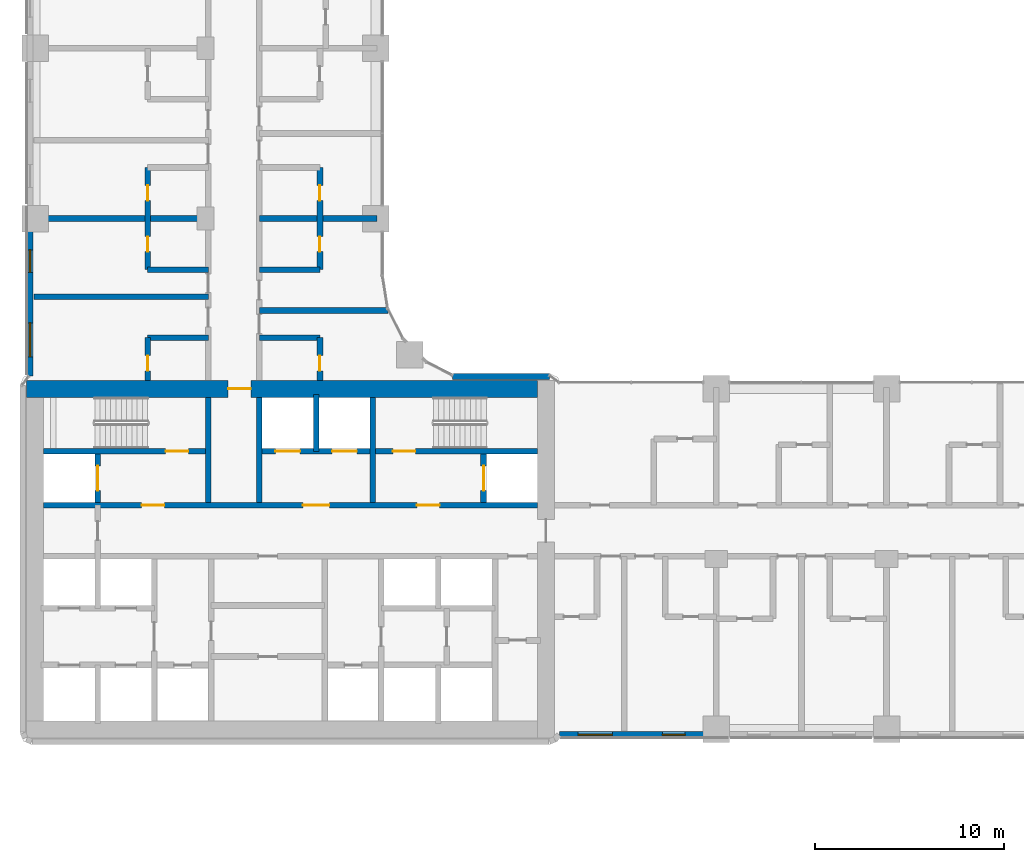
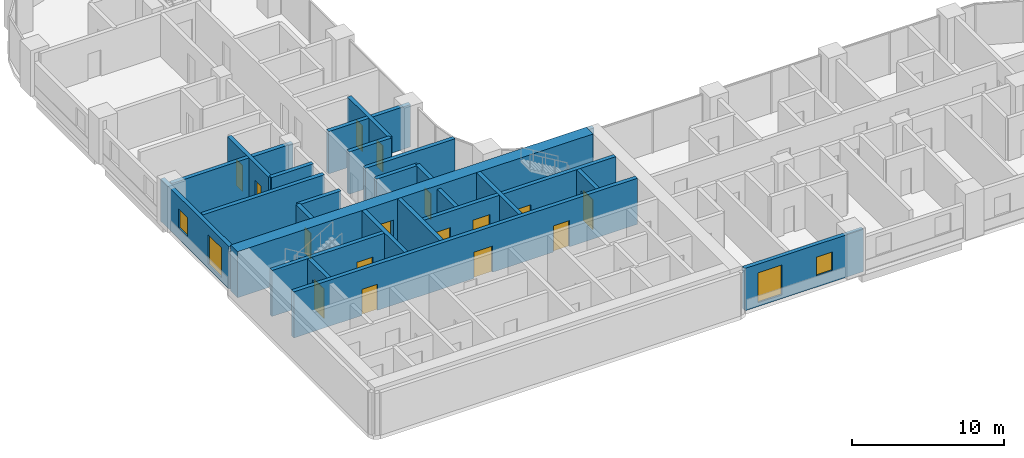
# One storey, part 17 of 31: 25 walls, 16 doors, 4 windows, 20 openings.
"""IFC4 building model written with IfcOpenShell, lengths in metres."""

from ifc_helpers import new_model, si_unit, direction, frame, frame_2d, origin, place, context, subcontext, project, spatial, rectangle, extrude, material, layer, layer_set, type_object, element, fill, save


model = new_model("IFC4")

# Units and contexts
model_context = context("Model", 3, precision=1e-05, world=origin(), true_north=direction((0.0, 1.0)))
body_context = subcontext(model_context, "Body", "Model", "MODEL_VIEW")
ifc_project = project(units=[si_unit("LENGTHUNIT", "METRE"), si_unit("AREAUNIT", "SQUARE_METRE"), si_unit("VOLUMEUNIT", "CUBIC_METRE"), si_unit("PLANEANGLEUNIT", "RADIAN"), si_unit("MASSUNIT", "GRAM", prefix="KILO")], contexts=[model_context])

# Site, building, storey
site_placement = place(None, origin())
site = spatial("IfcSite", under=ifc_project, at=site_placement, CompositionType="ELEMENT")
building_placement = place(site_placement, origin())
building = spatial("IfcBuilding", under=site, at=building_placement, Name="Ogive Portal Towers", CompositionType="ELEMENT")
storey_placement = place(building_placement, frame((0.0, 0.0, 40.89990234375)))
storey = spatial("IfcBuildingStorey", under=building, at=storey_placement, Name="L08", CompositionType="ELEMENT", Elevation=40.89990234375)

# Wall, openings, doors
ifc_material_1 = material(Name="Concrete C60/75", Category="concrete")
ifc_layer_1 = layer(ifc_material_1, 0.300048828125)
ifc_layer_set_1 = layer_set([ifc_layer_1], Name="CORE WALL 300 C60")
wall_type_1 = type_object("IfcWallType", Name="CORE WALL 300 C60", PredefinedType="SHEAR", material=ifc_layer_set_1)
wall_1_placement = place(storey_placement, frame((31.949951171875, 33.35009765625, 0.0), z_axis=(0.0, 0.0, 1.0), x_axis=(1.0, 0.0, 0.0)))
wall_1 = element("IfcWall", 1, at=wall_1_placement, inside=storey, type_object=wall_type_1, Name="Core wall Y2 L08", PredefinedType="SHEAR", context=body_context, shape_type="SweptSolid", body=[
    extrude(rectangle(XDim=26.10009765625, YDim=0.300048828125, at=frame_2d((13.050048828125, 0.0))), origin(), (0.0, 0.0, 1.0), 3.7001953125),
])
opening_1_placement = place(wall_1_placement, frame((13.699951171875, 0.0, 0.0)))
opening_1 = element("IfcOpeningElement", 2, at=opening_1_placement, cuts=wall_1, Name="Opening D01-002", PredefinedType="OPENING", context=body_context, shape_type="SweptSolid", body=[
    extrude(rectangle(XDim=1.39990234375, YDim=2.10009765625, at=frame_2d((0.699951171875, 1.050048828125))), frame((0.0, 0.16015625, 0.0), z_axis=(0.0, -1.0, 0.0), x_axis=(1.0, 0.0, 0.0)), (0.0, 0.0, 1.0), 0.320068359375),
])
opening_2_placement = place(wall_1_placement, frame((5.175048828125, 0.0, 0.0)))
opening_2 = element("IfcOpeningElement", 3, at=opening_2_placement, cuts=wall_1, Name="Opening D01-003", PredefinedType="OPENING", context=body_context, shape_type="SweptSolid", body=[
    extrude(rectangle(XDim=1.199951171875, YDim=2.10009765625, at=frame_2d((0.60009765625, 1.050048828125))), frame((0.0, 0.16015625, 0.0), z_axis=(0.0, -1.0, 0.0), x_axis=(1.0, 0.0, 0.0)), (0.0, 0.0, 1.0), 0.320068359375),
])
opening_3_placement = place(wall_1_placement, frame((19.72509765625, 0.0, 0.0)))
opening_3 = element("IfcOpeningElement", 4, at=opening_3_placement, cuts=wall_1, Name="Opening D01-004", PredefinedType="OPENING", context=body_context, shape_type="SweptSolid", body=[
    extrude(rectangle(XDim=1.199951171875, YDim=2.10009765625, at=frame_2d((0.60009765625, 1.050048828125))), frame((0.0, 0.16015625, 0.0), z_axis=(0.0, -1.0, 0.0), x_axis=(1.0, 0.0, 0.0)), (0.0, 0.0, 1.0), 0.320068359375),
])
ifc_material_2 = material(Name="Steel fire door", Category="steel")
door_type_1 = type_object("IfcDoorType", Name="DT-SWING-1200x2100-FD90S", OperationType="SINGLE_SWING_LEFT", PredefinedType="DOOR", material=ifc_material_2)
door_1_placement = place(opening_2_placement, origin())
door_1 = element("IfcDoor", 5, at=door_1_placement, inside=storey, type_object=door_type_1, Name="Door D01-003", OperationType="SINGLE_SWING_LEFT", OverallHeight=2.10009765625, OverallWidth=1.199951171875, PredefinedType="DOOR", context=body_context, shape_type="SweptSolid", body=[
    extrude(rectangle(XDim=1.199951171875, YDim=2.10009765625, at=frame_2d((0.60009765625, 1.050048828125))), frame((0.0, 0.02490234375, 0.0), z_axis=(0.0, -1.0, 0.0), x_axis=(1.0, 0.0, 0.0)), (0.0, 0.0, 1.0), 0.050048828125),
])
fill(opening_2, door_1)
door_2_placement = place(opening_3_placement, origin())
door_2 = element("IfcDoor", 6, at=door_2_placement, inside=storey, type_object=door_type_1, Name="Door D01-004", OperationType="SINGLE_SWING_RIGHT", OverallHeight=2.10009765625, OverallWidth=1.199951171875, PredefinedType="DOOR", context=body_context, shape_type="SweptSolid", body=[
    extrude(rectangle(XDim=1.199951171875, YDim=2.10009765625, at=frame_2d((0.60009765625, 1.050048828125))), frame((0.0, 0.02490234375, 0.0), z_axis=(0.0, -1.0, 0.0), x_axis=(1.0, 0.0, 0.0)), (0.0, 0.0, 1.0), 0.050048828125),
])
fill(opening_3, door_2)
door_type_2 = type_object("IfcDoorType", Name="DT-SWING-1400x2100-FD90S", OperationType="SINGLE_SWING_LEFT", PredefinedType="DOOR", material=ifc_material_2)
door_3_placement = place(opening_1_placement, origin())
door_3 = element("IfcDoor", 7, at=door_3_placement, inside=storey, type_object=door_type_2, Name="Door D01-002", OperationType="SINGLE_SWING_RIGHT", OverallHeight=2.10009765625, OverallWidth=1.39990234375, PredefinedType="DOOR", context=body_context, shape_type="SweptSolid", body=[
    extrude(rectangle(XDim=1.39990234375, YDim=2.10009765625, at=frame_2d((0.699951171875, 1.050048828125))), frame((0.0, 0.02490234375, 0.0), z_axis=(0.0, -1.0, 0.0), x_axis=(1.0, 0.0, 0.0)), (0.0, 0.0, 1.0), 0.050048828125),
])
fill(opening_1, door_3)

# Wall, opening, door
wall_2_placement = place(storey_placement, frame((31.949951171875, 36.199951171875, 0.0), z_axis=(0.0, 0.0, 1.0), x_axis=(1.0, 0.0, 0.0)))
wall_2 = element("IfcWall", 8, at=wall_2_placement, inside=storey, type_object=wall_type_1, Name="Core wall Y3a L08", PredefinedType="SHEAR", context=body_context, shape_type="SweptSolid", body=[
    extrude(rectangle(XDim=8.550048828125, YDim=0.300048828125, at=frame_2d((4.27490234375, 0.0))), origin(), (0.0, 0.0, 1.0), 3.7001953125),
])
opening_4_placement = place(wall_2_placement, frame((6.449951171875, 0.0, 0.0)))
opening_4 = element("IfcOpeningElement", 9, at=opening_4_placement, cuts=wall_2, Name="Opening D01-005", PredefinedType="OPENING", context=body_context, shape_type="SweptSolid", body=[
    extrude(rectangle(XDim=1.199951171875, YDim=2.10009765625, at=frame_2d((0.60009765625, 1.050048828125))), frame((0.0, 0.16015625, 0.0), z_axis=(0.0, -1.0, 0.0), x_axis=(1.0, 0.0, 0.0)), (0.0, 0.0, 1.0), 0.320068359375),
])
door_4_placement = place(opening_4_placement, origin())
door_4 = element("IfcDoor", 10, at=door_4_placement, inside=storey, type_object=door_type_1, Name="Door D01-005", OperationType="SINGLE_SWING_RIGHT", OverallHeight=2.10009765625, OverallWidth=1.199951171875, PredefinedType="DOOR", context=body_context, shape_type="SweptSolid", body=[
    extrude(rectangle(XDim=1.199951171875, YDim=2.10009765625, at=frame_2d((0.60009765625, 1.050048828125))), frame((0.0, 0.02490234375, 0.0), z_axis=(0.0, -1.0, 0.0), x_axis=(1.0, 0.0, 0.0)), (0.0, 0.0, 1.0), 0.050048828125),
])
fill(opening_4, door_4)

# Wall, openings, doors
wall_3_placement = place(storey_placement, frame((43.5, 36.199951171875, 0.0), z_axis=(0.0, 0.0, 1.0), x_axis=(1.0, 0.0, 0.0)))
wall_3 = element("IfcWall", 11, at=wall_3_placement, inside=storey, type_object=wall_type_1, Name="Core wall Y3b L08", PredefinedType="SHEAR", context=body_context, shape_type="SweptSolid", body=[
    extrude(rectangle(XDim=14.550048828125, YDim=0.300048828125, at=frame_2d((7.27490234375, 0.0))), origin(), (0.0, 0.0, 1.0), 3.7001953125),
])
opening_5_placement = place(wall_3_placement, frame((6.89990234375, 0.0, 0.0)))
opening_5 = element("IfcOpeningElement", 12, at=opening_5_placement, cuts=wall_3, Name="Opening D01-006", PredefinedType="OPENING", context=body_context, shape_type="SweptSolid", body=[
    extrude(rectangle(XDim=1.199951171875, YDim=2.10009765625, at=frame_2d((0.60009765625, 1.050048828125))), frame((0.0, 0.16015625, 0.0), z_axis=(0.0, -1.0, 0.0), x_axis=(1.0, 0.0, 0.0)), (0.0, 0.0, 1.0), 0.320068359375),
])
opening_6_placement = place(wall_3_placement, frame((0.699951171875, 0.0, 0.0)))
opening_6 = element("IfcOpeningElement", 13, at=opening_6_placement, cuts=wall_3, Name="Opening D01-017", PredefinedType="OPENING", context=body_context, shape_type="SweptSolid", body=[
    extrude(rectangle(XDim=1.300048828125, YDim=2.39990234375, at=frame_2d((0.64990234375, 1.199951171875))), frame((0.0, 0.16015625, 0.0), z_axis=(0.0, -1.0, 0.0), x_axis=(1.0, 0.0, 0.0)), (0.0, 0.0, 1.0), 0.320068359375),
])
opening_7_placement = place(wall_3_placement, frame((3.699951171875, 0.0, 0.0)))
opening_7 = element("IfcOpeningElement", 14, at=opening_7_placement, cuts=wall_3, Name="Opening D01-018", PredefinedType="OPENING", context=body_context, shape_type="SweptSolid", body=[
    extrude(rectangle(XDim=1.300048828125, YDim=2.39990234375, at=frame_2d((0.64990234375, 1.199951171875))), frame((0.0, 0.16015625, 0.0), z_axis=(0.0, -1.0, 0.0), x_axis=(1.0, 0.0, 0.0)), (0.0, 0.0, 1.0), 0.320068359375),
])
ifc_material_3 = material(Name="Stainless steel", Category="steel")
door_type_3 = type_object("IfcDoorType", Name="DT-LD-1300x2400", OperationType="SLIDING_TO_LEFT", PredefinedType="DOOR", material=ifc_material_3)
door_5_placement = place(opening_6_placement, origin())
door_5 = element("IfcDoor", 15, at=door_5_placement, inside=storey, type_object=door_type_3, Name="Door D01-017", OperationType="SLIDING_TO_LEFT", OverallHeight=2.39990234375, OverallWidth=1.300048828125, PredefinedType="DOOR", context=body_context, shape_type="SweptSolid", body=[
    extrude(rectangle(XDim=1.300048828125, YDim=2.39990234375, at=frame_2d((0.64990234375, 1.199951171875))), frame((0.0, 0.02490234375, 0.0), z_axis=(0.0, -1.0, 0.0), x_axis=(1.0, 0.0, 0.0)), (0.0, 0.0, 1.0), 0.050048828125),
])
fill(opening_6, door_5)
door_6_placement = place(opening_7_placement, origin())
door_6 = element("IfcDoor", 16, at=door_6_placement, inside=storey, type_object=door_type_3, Name="Door D01-018", OperationType="SLIDING_TO_LEFT", OverallHeight=2.39990234375, OverallWidth=1.300048828125, PredefinedType="DOOR", context=body_context, shape_type="SweptSolid", body=[
    extrude(rectangle(XDim=1.300048828125, YDim=2.39990234375, at=frame_2d((0.64990234375, 1.199951171875))), frame((0.0, 0.02490234375, 0.0), z_axis=(0.0, -1.0, 0.0), x_axis=(1.0, 0.0, 0.0)), (0.0, 0.0, 1.0), 0.050048828125),
])
fill(opening_7, door_6)
door_7_placement = place(opening_5_placement, origin())
door_7 = element("IfcDoor", 17, at=door_7_placement, inside=storey, type_object=door_type_1, Name="Door D01-006", OperationType="SINGLE_SWING_LEFT", OverallHeight=2.10009765625, OverallWidth=1.199951171875, PredefinedType="DOOR", context=body_context, shape_type="SweptSolid", body=[
    extrude(rectangle(XDim=1.199951171875, YDim=2.10009765625, at=frame_2d((0.60009765625, 1.050048828125))), frame((0.0, 0.02490234375, 0.0), z_axis=(0.0, -1.0, 0.0), x_axis=(1.0, 0.0, 0.0)), (0.0, 0.0, 1.0), 0.050048828125),
])
fill(opening_5, door_7)

# Walls
for number, where, z_axis, x_axis, name in (
    (18, (40.64990234375, 33.5, 0.0), (0.0, 0.0, 1.0), (0.0, 1.0, 0.0), "Core wall X6 L08"),
    (19, (43.35009765625, 33.5, 0.0), (0.0, 0.0, 1.0), (0.0, 1.0, 0.0), "Core wall X7 L08"),
):
    element("IfcWall", number, at=place(storey_placement, frame(where, z_axis=z_axis, x_axis=x_axis)), inside=storey, type_object=wall_type_1, Name=name, PredefinedType="SHEAR", context=body_context, shape_type="SweptSolid", body=[
        extrude(rectangle(XDim=5.550048828125, YDim=0.300048828125, at=frame_2d((2.77490234375, 0.0))), origin(), (0.0, 0.0, 1.0), 3.7001953125),
    ])

# Wall, opening, door
wall_4_placement = place(storey_placement, frame((34.800048828125, 33.5, 0.0), z_axis=(0.0, 0.0, 1.0), x_axis=(0.0, 1.0, 0.0)))
wall_4 = element("IfcWall", 20, at=wall_4_placement, inside=storey, type_object=wall_type_1, Name="Core wall X8 L08", PredefinedType="SHEAR", context=body_context, shape_type="SweptSolid", body=[
    extrude(rectangle(XDim=2.550048828125, YDim=0.300048828125, at=frame_2d((1.27490234375, 0.0))), origin(), (0.0, 0.0, 1.0), 3.7001953125),
])
opening_8_placement = place(wall_4_placement, frame((0.625, 0.0, 0.0)))
opening_8 = element("IfcOpeningElement", 21, at=opening_8_placement, cuts=wall_4, Name="Opening D01-019", PredefinedType="OPENING", context=body_context, shape_type="SweptSolid", body=[
    extrude(rectangle(XDim=1.300048828125, YDim=2.39990234375, at=frame_2d((0.64990234375, 1.199951171875))), frame((0.0, 0.16015625, 0.0), z_axis=(0.0, -1.0, 0.0), x_axis=(1.0, 0.0, 0.0)), (0.0, 0.0, 1.0), 0.320068359375),
])
door_8_placement = place(opening_8_placement, origin())
door_8 = element("IfcDoor", 22, at=door_8_placement, inside=storey, type_object=door_type_3, Name="Door D01-019", OperationType="SLIDING_TO_LEFT", OverallHeight=2.39990234375, OverallWidth=1.300048828125, PredefinedType="DOOR", context=body_context, shape_type="SweptSolid", body=[
    extrude(rectangle(XDim=1.300048828125, YDim=2.39990234375, at=frame_2d((0.64990234375, 1.199951171875))), frame((0.0, 0.02490234375, 0.0), z_axis=(0.0, -1.0, 0.0), x_axis=(1.0, 0.0, 0.0)), (0.0, 0.0, 1.0), 0.050048828125),
])
fill(opening_8, door_8)

# Wall
wall_5_placement = place(storey_placement, frame((49.35009765625, 33.5, 0.0), z_axis=(0.0, 0.0, 1.0), x_axis=(0.0, 1.0, 0.0)))
element("IfcWall", 23, at=wall_5_placement, inside=storey, type_object=wall_type_1, Name="Core wall X9 L08", PredefinedType="SHEAR", context=body_context, shape_type="SweptSolid", body=[
    extrude(rectangle(XDim=5.550048828125, YDim=0.300048828125, at=frame_2d((2.77490234375, 0.0))), origin(), (0.0, 0.0, 1.0), 3.7001953125),
])

# Wall, opening, door
wall_6_placement = place(storey_placement, frame((55.199951171875, 33.5, 0.0), z_axis=(0.0, 0.0, 1.0), x_axis=(0.0, 1.0, 0.0)))
wall_6 = element("IfcWall", 24, at=wall_6_placement, inside=storey, type_object=wall_type_1, Name="Core wall X10 L08", PredefinedType="SHEAR", context=body_context, shape_type="SweptSolid", body=[
    extrude(rectangle(XDim=2.550048828125, YDim=0.300048828125, at=frame_2d((1.27490234375, 0.0))), origin(), (0.0, 0.0, 1.0), 3.7001953125),
])
opening_9_placement = place(wall_6_placement, frame((0.625, 0.0, 0.0)))
opening_9 = element("IfcOpeningElement", 25, at=opening_9_placement, cuts=wall_6, Name="Opening D01-020", PredefinedType="OPENING", context=body_context, shape_type="SweptSolid", body=[
    extrude(rectangle(XDim=1.300048828125, YDim=2.39990234375, at=frame_2d((0.64990234375, 1.199951171875))), frame((0.0, 0.16015625, 0.0), z_axis=(0.0, -1.0, 0.0), x_axis=(1.0, 0.0, 0.0)), (0.0, 0.0, 1.0), 0.320068359375),
])
door_9_placement = place(opening_9_placement, origin())
door_9 = element("IfcDoor", 26, at=door_9_placement, inside=storey, type_object=door_type_3, Name="Door D01-020", OperationType="SLIDING_TO_LEFT", OverallHeight=2.39990234375, OverallWidth=1.300048828125, PredefinedType="DOOR", context=body_context, shape_type="SweptSolid", body=[
    extrude(rectangle(XDim=1.300048828125, YDim=2.39990234375, at=frame_2d((0.64990234375, 1.199951171875))), frame((0.0, 0.02490234375, 0.0), z_axis=(0.0, -1.0, 0.0), x_axis=(1.0, 0.0, 0.0)), (0.0, 0.0, 1.0), 0.050048828125),
])
fill(opening_9, door_9)

ifc_layer_2 = layer(ifc_material_1, 0.89990234375)
ifc_layer_set_2 = layer_set([ifc_layer_2], Name="CORE WALL 900 C60")
wall_type_2 = type_object("IfcWallType", Name="CORE WALL 900 C60", PredefinedType="SHEAR", material=ifc_layer_set_2)
wall_7_placement = place(storey_placement, frame((31.050048828125, 39.5, 0.0), z_axis=(0.0, 0.0, 1.0), x_axis=(1.0, 0.0, 0.0)))
wall_7 = element("IfcWall", 27, at=wall_7_placement, inside=storey, type_object=wall_type_2, Name="Core wall N L08", PredefinedType="SHEAR", context=body_context, shape_type="SweptSolid", body=[
    extrude(rectangle(XDim=27.0, YDim=0.89990234375, at=frame_2d((13.5, 0.0))), origin(), (0.0, 0.0, 1.0), 3.7001953125),
])
opening_10_placement = place(wall_7_placement, frame((10.64990234375, 0.0, 0.0)))
opening_10 = element("IfcOpeningElement", 28, at=opening_10_placement, cuts=wall_7, Name="Opening D01-012", PredefinedType="OPENING", context=body_context, shape_type="SweptSolid", body=[
    extrude(rectangle(XDim=1.199951171875, YDim=2.10009765625, at=frame_2d((0.60009765625, 1.050048828125))), frame((0.0, 0.4599609375, 0.0), z_axis=(0.0, -1.0, 0.0), x_axis=(1.0, 0.0, 0.0)), (0.0, 0.0, 1.0), 0.919921875),
])
door_10_placement = place(opening_10_placement, origin())
door_10 = element("IfcDoor", 29, at=door_10_placement, inside=storey, type_object=door_type_1, Name="Door D01-012", OperationType="SINGLE_SWING_RIGHT", OverallHeight=2.10009765625, OverallWidth=1.199951171875, PredefinedType="DOOR", context=body_context, shape_type="SweptSolid", body=[
    extrude(rectangle(XDim=1.199951171875, YDim=2.10009765625, at=frame_2d((0.60009765625, 1.050048828125))), frame((0.0, 0.02490234375, 0.0), z_axis=(0.0, -1.0, 0.0), x_axis=(1.0, 0.0, 0.0)), (0.0, 0.0, 1.0), 0.050048828125),
])
fill(opening_10, door_10)

# Wall
ifc_material_4 = material(Name="Limestone cladding on lightweight block wall", Category="masonry")
ifc_layer_3 = layer(ifc_material_4, 0.300048828125)
ifc_layer_set_3 = layer_set([ifc_layer_3], Name="EXTERNAL WALL 300 STONE")
wall_type_3 = type_object("IfcWallType", Name="EXTERNAL WALL 300 STONE", PredefinedType="SOLIDWALL", material=ifc_layer_set_3)
wall_8_placement = place(storey_placement, frame((58.673583984375, 40.14990234375, 0.0), z_axis=(0.0, 0.0, 1.0), x_axis=(-1.0, 0.0, 0.0)))
element("IfcWall", 30, at=wall_8_placement, inside=storey, type_object=wall_type_3, Name="A:L08:f01:r0:wall", PredefinedType="SOLIDWALL", context=body_context, shape_type="SweptSolid", body=[
    extrude(rectangle(XDim=5.115966796875, YDim=0.300048828125, at=frame_2d((2.55810546875, 0.0))), origin(), (0.0, 0.0, 1.0), 3.400146484375),
])

# Wall, openings, windows
wall_9_placement = place(storey_placement, frame((31.22509765625, 49.199951171875, 0.0), z_axis=(0.0, 0.0, 1.0), x_axis=(0.0, -1.0, 0.0)))
wall_9 = element("IfcWall", 31, at=wall_9_placement, inside=storey, type_object=wall_type_3, Name="A:L08:f13:r0:wall4", PredefinedType="SOLIDWALL", context=body_context, shape_type="SweptSolid", body=[
    extrude(rectangle(XDim=9.01953125, YDim=0.300048828125, at=frame_2d((4.509765625, 0.0))), origin(), (0.0, 0.0, 1.0), 3.400146484375),
])
opening_11_placement = place(wall_9_placement, frame((2.35009765625, 0.0, 0.89990234375)))
opening_11 = element("IfcOpeningElement", 32, at=opening_11_placement, cuts=wall_9, Name="Opening WN9", PredefinedType="OPENING", context=body_context, shape_type="SweptSolid", body=[
    extrude(rectangle(XDim=1.199951171875, YDim=1.5, at=frame_2d((0.60009765625, 0.75))), frame((0.0, 0.16015625, 0.0), z_axis=(0.0, -1.0, 0.0), x_axis=(1.0, 0.0, 0.0)), (0.0, 0.0, 1.0), 0.320068359375),
])
opening_12_placement = place(wall_9_placement, frame((6.209716796875, 0.0, 0.300048828125)))
opening_12 = element("IfcOpeningElement", 33, at=opening_12_placement, cuts=wall_9, Name="Opening WN10", PredefinedType="OPENING", context=body_context, shape_type="SweptSolid", body=[
    extrude(rectangle(XDim=1.800048828125, YDim=2.39990234375, at=frame_2d((0.89990234375, 1.199951171875))), frame((0.0, 0.16015625, 0.0), z_axis=(0.0, -1.0, 0.0), x_axis=(1.0, 0.0, 0.0)), (0.0, 0.0, 1.0), 0.320068359375),
])
ifc_material_5 = material(Name="Glass, clear low-iron insulated glazing", Category="glass")
window_type_1 = type_object("IfcWindowType", Name="WINDOW HOTEL CASEMENT 1200x1500", PartitioningType="DOUBLE_PANEL_VERTICAL", PredefinedType="WINDOW", material=ifc_material_5)
window_1_placement = place(opening_11_placement, origin())
window_1 = element("IfcWindow", 34, at=window_1_placement, inside=storey, type_object=window_type_1, Name="A:L08:f13:r0:w4", OverallHeight=1.5, OverallWidth=1.199951171875, PartitioningType="SINGLE_PANEL", PredefinedType="WINDOW", context=body_context, shape_type="SweptSolid", body=[
    extrude(rectangle(XDim=1.199951171875, YDim=1.5, at=frame_2d((0.60009765625, 0.75))), frame((0.0, 0.030029296875, 0.0), z_axis=(0.0, -1.0, 0.0), x_axis=(1.0, 0.0, 0.0)), (0.0, 0.0, 1.0), 0.06005859375),
])
fill(opening_11, window_1)
window_type_2 = type_object("IfcWindowType", Name="WINDOW SUITE CORNER 1800x2400", PartitioningType="DOUBLE_PANEL_VERTICAL", PredefinedType="WINDOW", material=ifc_material_5)
window_2_placement = place(opening_12_placement, origin())
window_2 = element("IfcWindow", 35, at=window_2_placement, inside=storey, type_object=window_type_2, Name="A:L08:f13:r0:w5", OverallHeight=2.39990234375, OverallWidth=1.800048828125, PartitioningType="SINGLE_PANEL", PredefinedType="WINDOW", context=body_context, shape_type="SweptSolid", body=[
    extrude(rectangle(XDim=1.800048828125, YDim=2.39990234375, at=frame_2d((0.89990234375, 1.199951171875))), frame((0.0, 0.030029296875, 0.0), z_axis=(0.0, -1.0, 0.0), x_axis=(1.0, 0.0, 0.0)), (0.0, 0.0, 1.0), 0.06005859375),
])
fill(opening_12, window_2)

wall_10_placement = place(storey_placement, frame((59.206787109375, 21.22509765625, 0.0), z_axis=(0.0, 0.0, 1.0), x_axis=(1.0, 0.0, 0.0)))
wall_10 = element("IfcWall", 36, at=wall_10_placement, inside=storey, type_object=wall_type_3, Name="A:L08:f21:r0:wall", PredefinedType="SOLIDWALL", context=body_context, shape_type="SweptSolid", body=[
    extrude(rectangle(XDim=8.9931640625, YDim=0.300048828125, at=frame_2d((4.49658203125, 0.0))), origin(), (0.0, 0.0, 1.0), 3.400146484375),
])
opening_13_placement = place(wall_10_placement, frame((0.99658203125, 0.0, 0.300048828125)))
opening_13 = element("IfcOpeningElement", 37, at=opening_13_placement, cuts=wall_10, Name="Opening WN10", PredefinedType="OPENING", context=body_context, shape_type="SweptSolid", body=[
    extrude(rectangle(XDim=1.800048828125, YDim=2.39990234375, at=frame_2d((0.89990234375, 1.199951171875))), frame((0.0, 0.16015625, 0.0), z_axis=(0.0, -1.0, 0.0), x_axis=(1.0, 0.0, 0.0)), (0.0, 0.0, 1.0), 0.320068359375),
])
opening_14_placement = place(wall_10_placement, frame((5.443115234375, 0.0, 0.89990234375)))
opening_14 = element("IfcOpeningElement", 38, at=opening_14_placement, cuts=wall_10, Name="Opening WN9", PredefinedType="OPENING", context=body_context, shape_type="SweptSolid", body=[
    extrude(rectangle(XDim=1.199951171875, YDim=1.5, at=frame_2d((0.60009765625, 0.75))), frame((0.0, 0.16015625, 0.0), z_axis=(0.0, -1.0, 0.0), x_axis=(1.0, 0.0, 0.0)), (0.0, 0.0, 1.0), 0.320068359375),
])
window_3_placement = place(opening_14_placement, origin())
window_3 = element("IfcWindow", 39, at=window_3_placement, inside=storey, type_object=window_type_1, Name="A:L08:f21:r0:w1", OverallHeight=1.5, OverallWidth=1.199951171875, PartitioningType="SINGLE_PANEL", PredefinedType="WINDOW", context=body_context, shape_type="SweptSolid", body=[
    extrude(rectangle(XDim=1.199951171875, YDim=1.5, at=frame_2d((0.60009765625, 0.75))), frame((0.0, 0.030029296875, 0.0), z_axis=(0.0, -1.0, 0.0), x_axis=(1.0, 0.0, 0.0)), (0.0, 0.0, 1.0), 0.06005859375),
])
fill(opening_14, window_3)
window_4_placement = place(opening_13_placement, origin())
window_4 = element("IfcWindow", 40, at=window_4_placement, inside=storey, type_object=window_type_2, Name="A:L08:f21:r0:w0", OverallHeight=2.39990234375, OverallWidth=1.800048828125, PartitioningType="SINGLE_PANEL", PredefinedType="WINDOW", context=body_context, shape_type="SweptSolid", body=[
    extrude(rectangle(XDim=1.800048828125, YDim=2.39990234375, at=frame_2d((0.89990234375, 1.199951171875))), frame((0.0, 0.030029296875, 0.0), z_axis=(0.0, -1.0, 0.0), x_axis=(1.0, 0.0, 0.0)), (0.0, 0.0, 1.0), 0.06005859375),
])
fill(opening_13, window_4)

# Walls
ifc_material_6 = material(Name="Gypsum board partition on steel studs", Category="steel")
ifc_layer_4 = layer(ifc_material_6, 0.300048828125)
ifc_layer_set_4 = layer_set([ifc_layer_4], Name="WT-PART-300-EI 60")
wall_type_4 = type_object("IfcWallType", Name="WT-PART-300-EI 60", PredefinedType="PARTITIONING", material=ifc_layer_set_4)
for number, where, z_axis, x_axis, name in (
    (41, (37.449951171875, 42.199951171875, 0.0), (0.0, 0.0, 1.0), (1.0, 0.0, 0.0), "Wall L08:w014"),
    (42, (43.35009765625, 42.199951171875, 0.0), (0.0, 0.0, 1.0), (1.0, 0.0, 0.0), "Wall L08:w015"),
):
    element("IfcWall", number, at=place(storey_placement, frame(where, z_axis=z_axis, x_axis=x_axis)), inside=storey, type_object=wall_type_4, Name=name, PredefinedType="PARTITIONING", context=body_context, shape_type="SweptSolid", body=[
        extrude(rectangle(XDim=3.199951171875, YDim=0.300048828125, at=frame_2d((1.60009765625, 0.0))), origin(), (0.0, 0.0, 1.0), 3.400146484375),
    ])
wall_11_placement = place(storey_placement, frame((43.35009765625, 43.639892578125, 0.0), z_axis=(0.0, 0.0, 1.0), x_axis=(1.0, 0.0, 0.0)))
element("IfcWall", 43, at=wall_11_placement, inside=storey, type_object=wall_type_4, Name="Wall L08:w016", PredefinedType="PARTITIONING", context=body_context, shape_type="SweptSolid", body=[
    extrude(rectangle(XDim=6.7958984375, YDim=0.300048828125, at=frame_2d((3.39794921875, 0.0))), origin(), (0.0, 0.0, 1.0), 3.400146484375),
])
wall_12_placement = place(storey_placement, frame((31.425048828125, 44.360107421875, 0.0), z_axis=(0.0, 0.0, 1.0), x_axis=(1.0, 0.0, 0.0)))
element("IfcWall", 44, at=wall_12_placement, inside=storey, type_object=wall_type_4, Name="Wall L08:w017", PredefinedType="PARTITIONING", context=body_context, shape_type="SweptSolid", body=[
    extrude(rectangle(XDim=9.224853515625, YDim=0.300048828125, at=frame_2d((4.6123046875, 0.0))), origin(), (0.0, 0.0, 1.0), 3.400146484375),
])
for number, where, z_axis, x_axis, name in (
    (45, (37.449951171875, 45.800048828125, 0.0), (0.0, 0.0, 1.0), (1.0, 0.0, 0.0), "Wall L08:w018"),
    (46, (43.35009765625, 45.800048828125, 0.0), (0.0, 0.0, 1.0), (1.0, 0.0, 0.0), "Wall L08:w019"),
):
    element("IfcWall", number, at=place(storey_placement, frame(where, z_axis=z_axis, x_axis=x_axis)), inside=storey, type_object=wall_type_4, Name=name, PredefinedType="PARTITIONING", context=body_context, shape_type="SweptSolid", body=[
        extrude(rectangle(XDim=3.199951171875, YDim=0.300048828125, at=frame_2d((1.60009765625, 0.0))), origin(), (0.0, 0.0, 1.0), 3.400146484375),
    ])
wall_13_placement = place(storey_placement, frame((31.425048828125, 48.5, 0.0), z_axis=(0.0, 0.0, 1.0), x_axis=(1.0, 0.0, 0.0)))
element("IfcWall", 47, at=wall_13_placement, inside=storey, type_object=wall_type_4, Name="Wall L08:w020", PredefinedType="PARTITIONING", context=body_context, shape_type="SweptSolid", body=[
    extrude(rectangle(XDim=9.224853515625, YDim=0.300048828125, at=frame_2d((4.6123046875, 0.0))), origin(), (0.0, 0.0, 1.0), 3.400146484375),
])
wall_14_placement = place(storey_placement, frame((43.35009765625, 48.5, 0.0), z_axis=(0.0, 0.0, 1.0), x_axis=(1.0, 0.0, 0.0)))
element("IfcWall", 48, at=wall_14_placement, inside=storey, type_object=wall_type_4, Name="Wall L08:w021", PredefinedType="PARTITIONING", context=body_context, shape_type="SweptSolid", body=[
    extrude(rectangle(XDim=6.224853515625, YDim=0.300048828125, at=frame_2d((3.1123046875, 0.0))), origin(), (0.0, 0.0, 1.0), 3.400146484375),
])

# Wall, opening, door
wall_15_placement = place(storey_placement, frame((37.449951171875, 39.949951171875, 0.0), z_axis=(0.0, 0.0, 1.0), x_axis=(0.0, 1.0, 0.0)))
wall_15 = element("IfcWall", 49, at=wall_15_placement, inside=storey, type_object=wall_type_4, Name="Wall L08:w036", PredefinedType="PARTITIONING", context=body_context, shape_type="SweptSolid", body=[
    extrude(rectangle(XDim=2.25, YDim=0.300048828125, at=frame_2d((1.125, 0.0))), origin(), (0.0, 0.0, 1.0), 3.400146484375),
])
opening_15_placement = place(wall_15_placement, frame((0.5, 0.0, 0.0)))
opening_15 = element("IfcOpeningElement", 50, at=opening_15_placement, cuts=wall_15, Name="Opening D01-050", PredefinedType="OPENING", context=body_context, shape_type="SweptSolid", body=[
    extrude(rectangle(XDim=0.800048828125, YDim=2.10009765625, at=frame_2d((0.39990234375, 1.050048828125))), frame((0.0, 0.16015625, 0.0), z_axis=(0.0, -1.0, 0.0), x_axis=(1.0, 0.0, 0.0)), (0.0, 0.0, 1.0), 0.320068359375),
])
door_type_4 = type_object("IfcDoorType", Name="DT-BATH-800x2100-FD60S", OperationType="SINGLE_SWING_LEFT", PredefinedType="DOOR", material=ifc_material_2)
door_11_placement = place(opening_15_placement, origin())
door_11 = element("IfcDoor", 51, at=door_11_placement, inside=storey, type_object=door_type_4, Name="Door D01-050", OperationType="SINGLE_SWING_LEFT", OverallHeight=2.10009765625, OverallWidth=0.800048828125, PredefinedType="DOOR", context=body_context, shape_type="SweptSolid", body=[
    extrude(rectangle(XDim=0.800048828125, YDim=2.10009765625, at=frame_2d((0.39990234375, 1.050048828125))), frame((0.0, 0.02490234375, 0.0), z_axis=(0.0, -1.0, 0.0), x_axis=(1.0, 0.0, 0.0)), (0.0, 0.0, 1.0), 0.050048828125),
])
fill(opening_15, door_11)

# Wall, openings, doors
wall_16_placement = place(storey_placement, frame((37.449951171875, 45.800048828125, 0.0), z_axis=(0.0, 0.0, 1.0), x_axis=(0.0, 1.0, 0.0)))
wall_16 = element("IfcWall", 52, at=wall_16_placement, inside=storey, type_object=wall_type_4, Name="Wall L08:w037", PredefinedType="PARTITIONING", context=body_context, shape_type="SweptSolid", body=[
    extrude(rectangle(XDim=5.39990234375, YDim=0.300048828125, at=frame_2d((2.699951171875, 0.0))), origin(), (0.0, 0.0, 1.0), 3.400146484375),
])
opening_16_placement = place(wall_16_placement, frame((0.949951171875, 0.0, 0.0)))
opening_16 = element("IfcOpeningElement", 53, at=opening_16_placement, cuts=wall_16, Name="Opening D01-052", PredefinedType="OPENING", context=body_context, shape_type="SweptSolid", body=[
    extrude(rectangle(XDim=0.800048828125, YDim=2.10009765625, at=frame_2d((0.39990234375, 1.050048828125))), frame((0.0, 0.16015625, 0.0), z_axis=(0.0, -1.0, 0.0), x_axis=(1.0, 0.0, 0.0)), (0.0, 0.0, 1.0), 0.320068359375),
])
opening_17_placement = place(wall_16_placement, frame((3.64990234375, 0.0, 0.0)))
opening_17 = element("IfcOpeningElement", 54, at=opening_17_placement, cuts=wall_16, Name="Opening D01-058", PredefinedType="OPENING", context=body_context, shape_type="SweptSolid", body=[
    extrude(rectangle(XDim=0.800048828125, YDim=2.10009765625, at=frame_2d((0.39990234375, 1.050048828125))), frame((0.0, 0.16015625, 0.0), z_axis=(0.0, -1.0, 0.0), x_axis=(1.0, 0.0, 0.0)), (0.0, 0.0, 1.0), 0.320068359375),
])
door_12_placement = place(opening_16_placement, origin())
door_12 = element("IfcDoor", 55, at=door_12_placement, inside=storey, type_object=door_type_4, Name="Door D01-052", OperationType="SINGLE_SWING_RIGHT", OverallHeight=2.10009765625, OverallWidth=0.800048828125, PredefinedType="DOOR", context=body_context, shape_type="SweptSolid", body=[
    extrude(rectangle(XDim=0.800048828125, YDim=2.10009765625, at=frame_2d((0.39990234375, 1.050048828125))), frame((0.0, 0.02490234375, 0.0), z_axis=(0.0, -1.0, 0.0), x_axis=(1.0, 0.0, 0.0)), (0.0, 0.0, 1.0), 0.050048828125),
])
fill(opening_16, door_12)
door_13_placement = place(opening_17_placement, origin())
door_13 = element("IfcDoor", 56, at=door_13_placement, inside=storey, type_object=door_type_4, Name="Door D01-058", OperationType="SINGLE_SWING_RIGHT", OverallHeight=2.10009765625, OverallWidth=0.800048828125, PredefinedType="DOOR", context=body_context, shape_type="SweptSolid", body=[
    extrude(rectangle(XDim=0.800048828125, YDim=2.10009765625, at=frame_2d((0.39990234375, 1.050048828125))), frame((0.0, 0.02490234375, 0.0), z_axis=(0.0, -1.0, 0.0), x_axis=(1.0, 0.0, 0.0)), (0.0, 0.0, 1.0), 0.050048828125),
])
fill(opening_17, door_13)

# Wall, opening, door
wall_17_placement = place(storey_placement, frame((46.550048828125, 39.949951171875, 0.0), z_axis=(0.0, 0.0, 1.0), x_axis=(0.0, 1.0, 0.0)))
wall_17 = element("IfcWall", 57, at=wall_17_placement, inside=storey, type_object=wall_type_4, Name="Wall L08:w044", PredefinedType="PARTITIONING", context=body_context, shape_type="SweptSolid", body=[
    extrude(rectangle(XDim=2.25, YDim=0.300048828125, at=frame_2d((1.125, 0.0))), origin(), (0.0, 0.0, 1.0), 3.400146484375),
])
opening_18_placement = place(wall_17_placement, frame((0.5, 0.0, 0.0)))
opening_18 = element("IfcOpeningElement", 58, at=opening_18_placement, cuts=wall_17, Name="Opening D01-046", PredefinedType="OPENING", context=body_context, shape_type="SweptSolid", body=[
    extrude(rectangle(XDim=0.800048828125, YDim=2.10009765625, at=frame_2d((0.39990234375, 1.050048828125))), frame((0.0, 0.16015625, 0.0), z_axis=(0.0, -1.0, 0.0), x_axis=(1.0, 0.0, 0.0)), (0.0, 0.0, 1.0), 0.320068359375),
])
door_14_placement = place(opening_18_placement, origin())
door_14 = element("IfcDoor", 59, at=door_14_placement, inside=storey, type_object=door_type_4, Name="Door D01-046", OperationType="SINGLE_SWING_RIGHT", OverallHeight=2.10009765625, OverallWidth=0.800048828125, PredefinedType="DOOR", context=body_context, shape_type="SweptSolid", body=[
    extrude(rectangle(XDim=0.800048828125, YDim=2.10009765625, at=frame_2d((0.39990234375, 1.050048828125))), frame((0.0, 0.02490234375, 0.0), z_axis=(0.0, -1.0, 0.0), x_axis=(1.0, 0.0, 0.0)), (0.0, 0.0, 1.0), 0.050048828125),
])
fill(opening_18, door_14)

# Wall, openings, doors
wall_18_placement = place(storey_placement, frame((46.550048828125, 45.800048828125, 0.0), z_axis=(0.0, 0.0, 1.0), x_axis=(0.0, 1.0, 0.0)))
wall_18 = element("IfcWall", 60, at=wall_18_placement, inside=storey, type_object=wall_type_4, Name="Wall L08:w045", PredefinedType="PARTITIONING", context=body_context, shape_type="SweptSolid", body=[
    extrude(rectangle(XDim=5.39990234375, YDim=0.300048828125, at=frame_2d((2.699951171875, 0.0))), origin(), (0.0, 0.0, 1.0), 3.400146484375),
])
opening_19_placement = place(wall_18_placement, frame((0.949951171875, 0.0, 0.0)))
opening_19 = element("IfcOpeningElement", 61, at=opening_19_placement, cuts=wall_18, Name="Opening D01-048", PredefinedType="OPENING", context=body_context, shape_type="SweptSolid", body=[
    extrude(rectangle(XDim=0.800048828125, YDim=2.10009765625, at=frame_2d((0.39990234375, 1.050048828125))), frame((0.0, 0.16015625, 0.0), z_axis=(0.0, -1.0, 0.0), x_axis=(1.0, 0.0, 0.0)), (0.0, 0.0, 1.0), 0.320068359375),
])
opening_20_placement = place(wall_18_placement, frame((3.64990234375, 0.0, 0.0)))
opening_20 = element("IfcOpeningElement", 62, at=opening_20_placement, cuts=wall_18, Name="Opening D01-054", PredefinedType="OPENING", context=body_context, shape_type="SweptSolid", body=[
    extrude(rectangle(XDim=0.800048828125, YDim=2.10009765625, at=frame_2d((0.39990234375, 1.050048828125))), frame((0.0, 0.16015625, 0.0), z_axis=(0.0, -1.0, 0.0), x_axis=(1.0, 0.0, 0.0)), (0.0, 0.0, 1.0), 0.320068359375),
])
door_15_placement = place(opening_19_placement, origin())
door_15 = element("IfcDoor", 63, at=door_15_placement, inside=storey, type_object=door_type_4, Name="Door D01-048", OperationType="SINGLE_SWING_LEFT", OverallHeight=2.10009765625, OverallWidth=0.800048828125, PredefinedType="DOOR", context=body_context, shape_type="SweptSolid", body=[
    extrude(rectangle(XDim=0.800048828125, YDim=2.10009765625, at=frame_2d((0.39990234375, 1.050048828125))), frame((0.0, 0.02490234375, 0.0), z_axis=(0.0, -1.0, 0.0), x_axis=(1.0, 0.0, 0.0)), (0.0, 0.0, 1.0), 0.050048828125),
])
fill(opening_19, door_15)
door_16_placement = place(opening_20_placement, origin())
door_16 = element("IfcDoor", 64, at=door_16_placement, inside=storey, type_object=door_type_4, Name="Door D01-054", OperationType="SINGLE_SWING_LEFT", OverallHeight=2.10009765625, OverallWidth=0.800048828125, PredefinedType="DOOR", context=body_context, shape_type="SweptSolid", body=[
    extrude(rectangle(XDim=0.800048828125, YDim=2.10009765625, at=frame_2d((0.39990234375, 1.050048828125))), frame((0.0, 0.02490234375, 0.0), z_axis=(0.0, -1.0, 0.0), x_axis=(1.0, 0.0, 0.0)), (0.0, 0.0, 1.0), 0.050048828125),
])
fill(opening_20, door_16)

# Wall
ifc_material_7 = material(Name="Concrete C40/50", Category="concrete")
ifc_layer_5 = layer(ifc_material_7, 0.300048828125)
ifc_layer_set_5 = layer_set([ifc_layer_5], Name="WT-SHAFT-300")
wall_type_5 = type_object("IfcWallType", Name="WT-SHAFT-300", PredefinedType="SOLIDWALL", material=ifc_layer_set_5)
wall_19_placement = place(storey_placement, frame((46.35009765625, 36.199951171875, 0.0), z_axis=(0.0, 0.0, 1.0), x_axis=(0.0, 1.0, 0.0)))
element("IfcWall", 65, at=wall_19_placement, inside=storey, type_object=wall_type_5, Name="Wall pw:010:L08", PredefinedType="SOLIDWALL", context=body_context, shape_type="SweptSolid", body=[
    extrude(rectangle(XDim=3.0, YDim=0.300048828125, at=frame_2d((1.5, 0.0))), origin(), (0.0, 0.0, 1.0), 3.400146484375),
])

save(model, "model.ifc")
